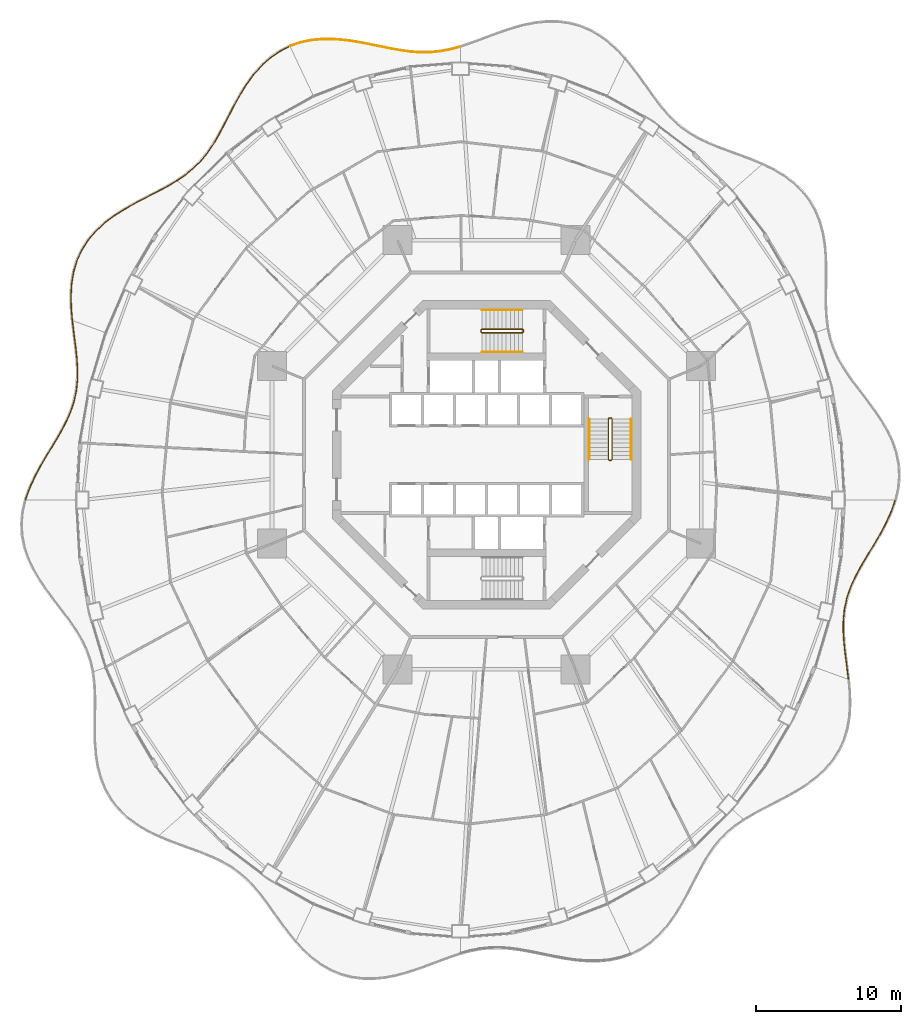
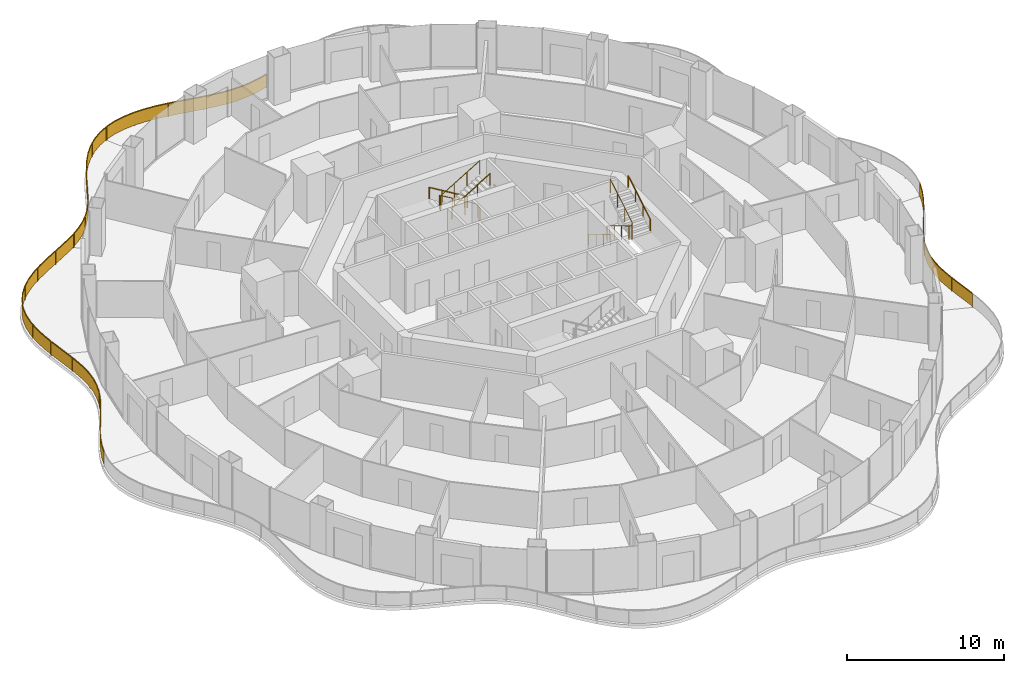
# One storey, part 19 of 20: 11 railings.
"""IFC4 building model written with IfcOpenShell, lengths in metres."""

import ifcopenshell
import ifcopenshell.guid

model = None  # the IFC model being written
_history = None  # IfcOwnerHistory: only IFC2X3 demands one
_inside = {}  # id of a spatial element -> (the spatial element, [elements in it])
_under = {}  # id of a project, library or spatial element -> (it, [spatial elements below it])
_declared = {}  # id of a project -> (the project, [libraries it declares])
_typed = {}  # id of a type object -> (the type object, [elements of that type])
_made_of = {}  # id of a material, layer set ... -> (it, [elements and type objects made of it])


def new_model(schema):
    """Start an empty IFC model of exactly this schema.

    Asked for "IFC4X3", IfcOpenShell would pick the latest addendum, in which some entities
    have other attributes; the version numbers below select the first issue.
    IFC2X3 requires an IfcOwnerHistory on every rooted entity: one is made here for all.
    """
    global model, _history
    if schema == "IFC4X3":
        model = ifcopenshell.file(schema_version=(4, 3, 0, 0))
    else:
        model = ifcopenshell.file(schema=schema)
    _inside.clear()
    _under.clear()
    _declared.clear()
    _typed.clear()
    _made_of.clear()
    _history = None
    if model.schema == "IFC2X3":
        org = make("IfcOrganization", Name="unknown")
        user = make(
            "IfcPersonAndOrganization",
            ThePerson=make("IfcPerson", FamilyName="unknown"),
            TheOrganization=org,
        )
        app = make(
            "IfcApplication",
            ApplicationDeveloper=org,
            Version="unknown",
            ApplicationFullName="unknown",
            ApplicationIdentifier="unknown",
        )
        _history = make(
            "IfcOwnerHistory",
            OwningUser=user,
            OwningApplication=app,
            ChangeAction="ADDED",
            CreationDate=0,
        )
    return model


def make(cls, **values):
    """One entity of the class cls with the attributes given. An attribute that is None is left unset."""
    return model.create_entity(
        cls, **{name: value for name, value in values.items() if value is not None}
    )


def rooted(cls, **values):
    """An entity with a GlobalId (a new one), such as an element, a storey or a relation."""
    return make(cls, GlobalId=ifcopenshell.guid.new(), OwnerHistory=_history, **values)


def si_unit(unit_type, name, prefix=None):
    """IfcSIUnit, for example si_unit("LENGTHUNIT", "METRE", prefix="MILLI")."""
    return make("IfcSIUnit", UnitType=unit_type, Prefix=prefix, Name=name)


def assignment(units):
    """IfcUnitAssignment: the units of a project."""
    return None if units is None else make("IfcUnitAssignment", Units=units)


def point(xyz):
    """IfcCartesianPoint."""
    return None if xyz is None else make("IfcCartesianPoint", Coordinates=xyz)


def direction(xyz):
    """IfcDirection."""
    return None if xyz is None else make("IfcDirection", DirectionRatios=xyz)


def frame(location, z_axis=None, x_axis=None):
    """IfcAxis2Placement3D, a coordinate frame: its origin and axes. An axis left out is left unset."""
    return make(
        "IfcAxis2Placement3D",
        Location=point(location),
        Axis=direction(z_axis),
        RefDirection=direction(x_axis),
    )


def frame_2d(location, x_axis=None):
    """IfcAxis2Placement2D, a coordinate frame in the plane: its origin and x axis."""
    return make(
        "IfcAxis2Placement2D", Location=point(location), RefDirection=direction(x_axis)
    )


def origin():
    """The frame at (0, 0, 0) with its axes left unset."""
    return frame((0.0, 0.0, 0.0))


def origin_2d():
    """The frame at (0, 0) in the plane with its x axis left unset."""
    return frame_2d((0.0, 0.0))


def place(relative_to, where):
    """IfcLocalPlacement: puts the frame where relative to a parent placement (None: the world)."""
    return make(
        "IfcLocalPlacement", PlacementRelTo=relative_to, RelativePlacement=where
    )


def context(
    kind, dimensions, precision=None, world=None, true_north=None, identifier=None
):
    """IfcGeometricRepresentationContext, for example the 3D "Model" context."""
    return make(
        "IfcGeometricRepresentationContext",
        ContextIdentifier=identifier,
        ContextType=kind,
        CoordinateSpaceDimension=dimensions,
        Precision=precision,
        WorldCoordinateSystem=world,
        TrueNorth=true_north,
    )


def subcontext(parent, identifier, kind, view, scale=None):
    """IfcGeometricRepresentationSubContext, for example "Body" below "Model"."""
    return make(
        "IfcGeometricRepresentationSubContext",
        ContextIdentifier=identifier,
        ContextType=kind,
        ParentContext=parent,
        TargetScale=scale,
        TargetView=view,
    )


def project(units=None, contexts=None):
    """IfcProject with its units and contexts."""
    return rooted(
        "IfcProject",
        Name="project",
        RepresentationContexts=contexts,
        UnitsInContext=assignment(units),
    )


def spatial(cls, under=None, at=None, **own):
    """A site, building, storey or space (cls), placed at a placement, below another one or the project."""
    s = rooted(cls, ObjectPlacement=at, **own)
    if under is not None:
        _under.setdefault(under.id(), (under, []))[1].append(s)
    return s


def polyline(points):
    """IfcPolyline through the points."""
    return make("IfcPolyline", Points=[point(p) for p in points])


def profile(cls, at=None, kind="AREA", **sizes):
    """A parametric profile (cls). Its sizes go by their IFC names, for example OverallWidth=200.0."""
    return make(cls, ProfileType=kind, Position=at, **sizes)


def rectangle(**sizes):
    """IfcRectangleProfileDef."""
    return profile("IfcRectangleProfileDef", **sizes)


def circle(**sizes):
    """IfcCircleProfileDef."""
    return profile("IfcCircleProfileDef", **sizes)


def outline(outer, holes=None, kind="AREA"):
    """IfcArbitraryClosedProfileDef: a profile drawn as a closed curve; with holes, ...WithVoids."""
    if holes is None:
        return make("IfcArbitraryClosedProfileDef", ProfileType=kind, OuterCurve=outer)
    return make(
        "IfcArbitraryProfileDefWithVoids",
        ProfileType=kind,
        OuterCurve=outer,
        InnerCurves=holes,
    )


def extrude(swept, where, along, depth):
    """IfcExtrudedAreaSolid: the profile swept, set in the frame where, extruded along a direction by depth."""
    return make(
        "IfcExtrudedAreaSolid",
        SweptArea=swept,
        Position=where,
        ExtrudedDirection=direction(along),
        Depth=depth,
    )


def shape(context_of_items, identifier, shape_type, items):
    """IfcShapeRepresentation: the items that make up one representation, for example the "Body"."""
    return make(
        "IfcShapeRepresentation",
        ContextOfItems=context_of_items,
        RepresentationIdentifier=identifier,
        RepresentationType=shape_type,
        Items=items,
    )


def material(Name=None, Category=None):
    """IfcMaterial."""
    return make("IfcMaterial", Name=Name, Category=Category)


def made_of(thing, what):
    """Note that an element or type object is made of a material, layer set ...; save() writes the relation."""
    if what is not None:
        _made_of.setdefault(what.id(), (what, []))[1].append(thing)
    return thing


def type_object(cls, material=None, **own):
    """A type object (cls), such as IfcWallType, which elements share."""
    return made_of(rooted(cls, **own), material)


def element(
    cls,
    number,
    at=None,
    inside=None,
    cuts=None,
    type_object=None,
    material=None,
    context=None,
    identifier="Body",
    shape_type=None,
    held_by="IfcProductDefinitionShape",
    body=None,
    shapes=None,
    **own,
):
    """One element of the class cls, such as IfcWall. Its Tag is "e" and its number.

    at: its placement. inside: the storey or other place that contains it. cuts: it is an
    opening in that element (IfcRelVoidsElement). A single representation is given by context,
    identifier, shape_type and body (its items); several are given by shapes. held_by: the class
    of the entity that holds the representations. save() writes the other relations.
    """
    e = rooted(cls, Tag="e%d" % number, ObjectPlacement=at, **own)
    if body is not None:
        shapes = [shape(context, identifier, shape_type, body)]
    if shapes is not None:
        e.Representation = make(held_by, Representations=shapes)
    if inside is not None:
        _inside.setdefault(inside.id(), (inside, []))[1].append(e)
    if cuts is not None:
        rooted(
            "IfcRelVoidsElement", RelatingBuildingElement=cuts, RelatedOpeningElement=e
        )
    if type_object is not None:
        _typed.setdefault(type_object.id(), (type_object, []))[1].append(e)
    return made_of(e, material)


def aggregate(whole, parts):
    """IfcRelAggregates: a whole, such as a stair, and the parts it consists of."""
    return rooted("IfcRelAggregates", RelatingObject=whole, RelatedObjects=parts)


def save(model, path):
    """Write the relations noted so far, then the file.

    IfcRelAggregates (storeys below a building ...), IfcRelContainedInSpatialStructure (elements
    in a storey), IfcRelDefinesByType, IfcRelAssociatesMaterial and IfcRelDeclares: one each for
    every whole, place, type object, material and project.
    """
    for whole, parts in _under.values():
        aggregate(whole, parts)
    for where, things in _inside.values():
        rooted(
            "IfcRelContainedInSpatialStructure",
            RelatedElements=things,
            RelatingStructure=where,
        )
    for kind, things in _typed.values():
        rooted("IfcRelDefinesByType", RelatedObjects=things, RelatingType=kind)
    for what, things in _made_of.values():
        rooted("IfcRelAssociatesMaterial", RelatedObjects=things, RelatingMaterial=what)
    for by, libraries in _declared.values():
        rooted("IfcRelDeclares", RelatingContext=by, RelatedDefinitions=libraries)
    model.write(path)


model = new_model("IFC4")

# Units and contexts
model_context = context("Model", 3, precision=1e-05, world=origin(), true_north=direction((0.0, 1.0)))
body_context = subcontext(model_context, "Body", "Model", "MODEL_VIEW")
ifc_project = project(units=[si_unit("LENGTHUNIT", "METRE"), si_unit("AREAUNIT", "SQUARE_METRE"), si_unit("VOLUMEUNIT", "CUBIC_METRE"), si_unit("PLANEANGLEUNIT", "RADIAN"), si_unit("MASSUNIT", "GRAM", prefix="KILO")], contexts=[model_context])

# Site, building, storey
site_placement = place(None, origin())
site = spatial("IfcSite", under=ifc_project, at=site_placement, CompositionType="ELEMENT")
building_placement = place(site_placement, origin())
building = spatial("IfcBuilding", under=site, at=building_placement, Name="Nagisa Residences", CompositionType="ELEMENT")
storey_placement = place(building_placement, frame((0.0, 0.0, 145.5)))
storey = spatial("IfcBuildingStorey", under=building, at=storey_placement, Name="L36", CompositionType="ELEMENT", Elevation=145.5)

# Railings
ifc_material_1 = material(Name="Stainless steel 316", Category="steel")
railing_type_1 = type_object("IfcRailingType", Name="BALCONY GUARD 1100", PredefinedType="BALUSTRADE", material=ifc_material_1)
railing_1_placement = place(storey_placement, frame((-1.83447265625, 28.098876953125, 0.0)))
element("IfcRailing", 1, at=railing_1_placement, inside=storey, type_object=railing_type_1, Name="guard:L36:bal04-0", PredefinedType="BALUSTRADE", context=body_context, shape_type="SweptSolid", body=[
    extrude(outline(polyline([(-0.634521484375, -0.197998046875), (0.006591796875, -0.024169921875), (-0.006591796875, 0.024169921875), (-0.645751953125, -0.149169921875), (-1.32080078125, -0.279541015625), (-1.99560546875, -0.3505859375), (-2.67626953125, -0.361572265625), (-3.369140625, -0.316162109375), (-4.060791015625, -0.2197265625), (-4.7900390625, -0.088623046875), (-5.539794921875, 0.064208984375), (-6.3095703125, 0.22265625), (-7.095458984375, 0.36767578125), (-7.875, 0.486572265625), (-8.67529296875, 0.5517578125), (-9.4697265625, 0.553466796875), (-10.249267578125, 0.478271484375), (-11.00390625, 0.318359375), (-11.679443359375, 0.084716796875), (-11.662841796875, 0.037353515625), (-10.99072265625, 0.27001953125), (-10.241455078125, 0.428955078125), (-9.46728515625, 0.503173828125), (-8.67724609375, 0.501953125), (-7.880859375, 0.436767578125), (-7.103759765625, 0.318359375), (-6.3193359375, 0.17333984375), (-5.550048828125, 0.015380859375), (-4.79931640625, -0.137939453125), (-4.068603515625, -0.26904296875), (-3.3740234375, -0.365966796875), (-2.677734375, -0.411865234375), (-1.99267578125, -0.400390625), (-1.3134765625, -0.328857421875), (-0.634521484375, -0.197998046875)])), frame((0.0, 0.0, 1.050048828125)), (0.0, 0.0, 1.0), 0.050048828125),
    extrude(outline(polyline([(-0.638671875, -0.180419921875), (0.001953125, -0.0068359375), (-0.001953125, 0.0068359375), (-0.6416015625, -0.166748046875), (-1.318115234375, -0.29736328125), (-1.99462890625, -0.368408203125), (-2.6767578125, -0.379638671875), (-3.370849609375, -0.333984375), (-4.0634765625, -0.237548828125), (-4.79345703125, -0.1064453125), (-5.54345703125, 0.046630859375), (-6.313232421875, 0.204833984375), (-7.098388671875, 0.349853515625), (-7.877197265625, 0.468505859375), (-8.676025390625, 0.533935546875), (-9.46875, 0.535400390625), (-10.246337890625, 0.46044921875), (-10.999267578125, 0.301025390625), (-11.67333984375, 0.067626953125), (-11.6689453125, 0.054443359375), (-10.995361328125, 0.287353515625), (-10.244384765625, 0.44677734375), (-9.46826171875, 0.521240234375), (-8.676513671875, 0.519775390625), (-7.878662109375, 0.454833984375), (-7.100830078125, 0.336181640625), (-6.315673828125, 0.191162109375), (-5.54638671875, 0.032958984375), (-4.7958984375, -0.1201171875), (-4.06591796875, -0.251220703125), (-3.372314453125, -0.34814453125), (-2.67724609375, -0.393798828125), (-1.99365234375, -0.382568359375), (-1.316162109375, -0.31103515625), (-0.638671875, -0.180419921875)])), frame((0.0, 0.0, 0.06005859375)), (0.0, 0.0, 1.0), 0.989990234375),
    extrude(rectangle(XDim=0.0400390625, YDim=0.0400390625, at=origin_2d()), origin(), (0.0, 0.0, 1.0), 1.050048828125),
    extrude(rectangle(XDim=0.0400390625, YDim=0.0400390625, at=origin_2d()), frame((-2.329833984375, -0.381103515625, 0.0)), (0.0, 0.0, 1.0), 1.050048828125),
    extrude(rectangle(XDim=0.0400390625, YDim=0.0400390625, at=origin_2d()), frame((-4.68115234375, -0.1337890625, 0.0)), (0.0, 0.0, 1.0), 1.050048828125),
    extrude(rectangle(XDim=0.0400390625, YDim=0.0400390625, at=origin_2d()), frame((-7.00537109375, 0.32568359375, 0.0)), (0.0, 0.0, 1.0), 1.050048828125),
    extrude(rectangle(XDim=0.0400390625, YDim=0.0400390625, at=origin_2d()), frame((-9.361328125, 0.528076171875, 0.0)), (0.0, 0.0, 1.0), 1.050048828125),
    extrude(rectangle(XDim=0.0400390625, YDim=0.0400390625, at=origin_2d()), frame((-11.671142578125, 0.06103515625, 0.0)), (0.0, 0.0, 1.0), 1.050048828125),
])
railing_2_placement = place(storey_placement, frame((-13.57666015625, 28.1298828125, 0.0)))
element("IfcRailing", 2, at=railing_2_placement, inside=storey, type_object=railing_type_1, Name="guard:L36:bal05-0", PredefinedType="BALUSTRADE", context=body_context, shape_type="SweptSolid", body=[
    extrude(outline(polyline([(-0.646484375, -0.35400390625), (0.01123046875, -0.0224609375), (-0.01123046875, 0.0224609375), (-0.671875, -0.31103515625), (-1.32470703125, -0.759765625), (-1.92236328125, -1.293212890625), (-2.4638671875, -1.89892578125), (-2.951904296875, -2.56103515625), (-3.380615234375, -3.25341796875), (-3.78515625, -3.97509765625), (-4.16357421875, -4.699951171875), (-4.529296875, -5.410888671875), (-4.895751953125, -6.093505859375), (-5.265380859375, -6.72607421875), (-5.674560546875, -7.322021484375), (-6.121826171875, -7.86767578125), (-6.614990234375, -8.36328125), (-7.158447265625, -8.81298828125), (-7.717529296875, -9.19970703125), (-7.689208984375, -9.24072265625), (-7.128173828125, -8.85302734375), (-6.581298828125, -8.400390625), (-6.084716796875, -7.9013671875), (-5.634521484375, -7.352294921875), (-5.222900390625, -6.7529296875), (-4.852294921875, -6.117919921875), (-4.48486328125, -5.434326171875), (-4.119140625, -4.722900390625), (-3.7412109375, -3.9990234375), (-3.337646484375, -3.27880859375), (-2.910400390625, -2.5888671875), (-2.4248046875, -1.9306640625), (-1.88671875, -1.328857421875), (-1.2939453125, -0.79931640625), (-0.646484375, -0.35400390625)])), frame((0.0, 0.0, 1.050048828125)), (0.0, 0.0, 1.0), 0.050048828125),
    extrude(outline(polyline([(-0.655517578125, -0.338623046875), (0.003173828125, -0.00634765625), (-0.003173828125, 0.00634765625), (-0.662841796875, -0.326416015625), (-1.313720703125, -0.77392578125), (-1.909423828125, -1.30615234375), (-2.44970703125, -1.910400390625), (-2.93701171875, -2.571044921875), (-3.365234375, -3.262451171875), (-3.769287109375, -3.983642578125), (-4.1474609375, -4.708251953125), (-4.51318359375, -5.41943359375), (-4.880126953125, -6.102294921875), (-5.25, -6.73583984375), (-5.66015625, -7.3330078125), (-6.1083984375, -7.8798828125), (-6.602783203125, -8.376708984375), (-7.1474609375, -8.827392578125), (-7.707275390625, -9.21435546875), (-7.699462890625, -9.22607421875), (-7.13916015625, -8.838623046875), (-6.593505859375, -8.386962890625), (-6.09814453125, -7.88916015625), (-5.64892578125, -7.34130859375), (-5.23828125, -6.7431640625), (-4.867919921875, -6.109130859375), (-4.5009765625, -5.42578125), (-4.13525390625, -4.714599609375), (-3.757080078125, -3.990478515625), (-3.35302734375, -3.269775390625), (-2.92529296875, -2.578857421875), (-2.43896484375, -1.919189453125), (-1.899658203125, -1.31591796875), (-1.304931640625, -0.78515625), (-0.655517578125, -0.338623046875)])), frame((0.0, 0.0, 0.06005859375)), (0.0, 0.0, 1.0), 0.989990234375),
    extrude(rectangle(XDim=0.0400390625, YDim=0.0400390625, at=origin_2d()), origin(), (0.0, 0.0, 1.0), 1.050048828125),
    extrude(rectangle(XDim=0.0400390625, YDim=0.0400390625, at=origin_2d()), frame((-1.692138671875, -1.121337890625, 0.0)), (0.0, 0.0, 1.0), 1.050048828125),
    extrude(rectangle(XDim=0.0400390625, YDim=0.0400390625, at=origin_2d()), frame((-2.997314453125, -2.681884765625, 0.0)), (0.0, 0.0, 1.0), 1.050048828125),
    extrude(rectangle(XDim=0.0400390625, YDim=0.0400390625, at=origin_2d()), frame((-4.007080078125, -4.454345703125, 0.0)), (0.0, 0.0, 1.0), 1.050048828125),
    extrude(rectangle(XDim=0.0400390625, YDim=0.0400390625, at=origin_2d()), frame((-4.962646484375, -6.25732421875, 0.0)), (0.0, 0.0, 1.0), 1.050048828125),
    extrude(rectangle(XDim=0.0400390625, YDim=0.0400390625, at=origin_2d()), frame((-6.13818359375, -7.919677734375, 0.0)), (0.0, 0.0, 1.0), 1.050048828125),
    extrude(rectangle(XDim=0.0400390625, YDim=0.0400390625, at=origin_2d()), frame((-7.703369140625, -9.22021484375, 0.0)), (0.0, 0.0, 1.0), 1.050048828125),
])
railing_3_placement = place(storey_placement, frame((-21.341796875, 18.87255859375, 0.0)))
element("IfcRailing", 3, at=railing_3_placement, inside=storey, type_object=railing_type_1, Name="guard:L36:bal06-0", PredefinedType="BALUSTRADE", context=body_context, shape_type="SweptSolid", body=[
    extrude(outline(polyline([(-0.626220703125, -0.40087890625), (0.0126953125, -0.021484375), (-0.0126953125, 0.021484375), (-0.650634765625, -0.357421875), (-1.366943359375, -0.741943359375), (-2.1123046875, -1.124755859375), (-2.869873046875, -1.520263671875), (-3.6201171875, -1.943359375), (-4.333984375, -2.3935546875), (-5.008544921875, -2.9052734375), (-5.615966796875, -3.47216796875), (-6.141357421875, -4.097412109375), (-6.57275390625, -4.779296875), (-6.8974609375, -5.50048828125), (-7.127685546875, -6.279541015625), (-7.26171875, -7.09375), (-7.310546875, -7.932373046875), (-7.2890625, -8.7841796875), (-7.21826171875, -9.592529296875), (-7.16845703125, -9.588134765625), (-7.2392578125, -8.78125), (-7.26025390625, -7.933349609375), (-7.2119140625, -7.09912109375), (-7.078857421875, -6.290771484375), (-6.8505859375, -5.51806640625), (-6.52880859375, -4.80322265625), (-6.100830078125, -4.127197265625), (-5.579833984375, -3.5068359375), (-4.976318359375, -2.943359375), (-4.3056640625, -2.4345703125), (-3.59423828125, -1.986328125), (-2.845947265625, -1.564208984375), (-2.08935546875, -1.169189453125), (-1.343505859375, -0.786376953125), (-0.626220703125, -0.40087890625)])), frame((0.0, 0.0, 1.050048828125)), (0.0, 0.0, 1.0), 0.050048828125),
    extrude(outline(polyline([(-0.635009765625, -0.38525390625), (0.003662109375, -0.006103515625), (-0.003662109375, 0.006103515625), (-0.641845703125, -0.373046875), (-1.3583984375, -0.758056640625), (-2.10400390625, -1.140869140625), (-2.861328125, -1.5361328125), (-3.61083984375, -1.958740234375), (-4.32373046875, -2.408203125), (-4.996826171875, -2.9189453125), (-5.60302734375, -3.484619140625), (-6.126708984375, -4.108154296875), (-6.556884765625, -4.787841796875), (-6.880615234375, -5.5068359375), (-7.110107421875, -6.28369140625), (-7.243896484375, -7.095703125), (-7.29248046875, -7.932861328125), (-7.271240234375, -8.783203125), (-7.200439453125, -9.591064453125), (-7.186279296875, -9.589599609375), (-7.257080078125, -8.7822265625), (-7.2783203125, -7.932861328125), (-7.229736328125, -7.09716796875), (-7.096435546875, -6.28662109375), (-6.867431640625, -5.51171875), (-6.544677734375, -4.794677734375), (-6.115478515625, -4.116455078125), (-5.5927734375, -3.494384765625), (-4.988037109375, -2.9296875), (-4.31591796875, -2.419921875), (-3.603515625, -1.970947265625), (-2.8544921875, -1.54833984375), (-2.09765625, -1.153076171875), (-1.35205078125, -0.770263671875), (-0.635009765625, -0.38525390625)])), frame((0.0, 0.0, 0.06005859375)), (0.0, 0.0, 1.0), 0.989990234375),
    extrude(rectangle(XDim=0.0400390625, YDim=0.0400390625, at=origin_2d()), origin(), (0.0, 0.0, 1.0), 1.050048828125),
    extrude(rectangle(XDim=0.0400390625, YDim=0.0400390625, at=origin_2d()), frame((-1.921630859375, -1.054931640625, 0.0)), (0.0, 0.0, 1.0), 1.050048828125),
    extrude(rectangle(XDim=0.0400390625, YDim=0.0400390625, at=origin_2d()), frame((-3.841796875, -2.11279296875, 0.0)), (0.0, 0.0, 1.0), 1.050048828125),
    extrude(rectangle(XDim=0.0400390625, YDim=0.0400390625, at=origin_2d()), frame((-5.565185546875, -3.458984375, 0.0)), (0.0, 0.0, 1.0), 1.050048828125),
    extrude(rectangle(XDim=0.0400390625, YDim=0.0400390625, at=origin_2d()), frame((-6.76904296875, -5.27587890625, 0.0)), (0.0, 0.0, 1.0), 1.050048828125),
    extrude(rectangle(XDim=0.0400390625, YDim=0.0400390625, at=origin_2d()), frame((-7.254638671875, -7.401611328125, 0.0)), (0.0, 0.0, 1.0), 1.050048828125),
    extrude(rectangle(XDim=0.0400390625, YDim=0.0400390625, at=origin_2d()), frame((-7.193359375, -9.59033203125, 0.0)), (0.0, 0.0, 1.0), 1.050048828125),
])
railing_4_placement = place(storey_placement, frame((-28.525634765625, 9.2060546875, 0.0)))
element("IfcRailing", 4, at=railing_4_placement, inside=storey, type_object=railing_type_1, Name="guard:L36:bal07-0", PredefinedType="BALUSTRADE", context=body_context, shape_type="SweptSolid", body=[
    extrude(outline(polyline([(0.126220703125, -0.82421875), (0.02490234375, 0.0029296875), (-0.02490234375, -0.0029296875), (0.076416015625, -0.83056640625), (0.186767578125, -1.686279296875), (0.278076171875, -2.51904296875), (0.32763671875, -3.32470703125), (0.3173828125, -4.10400390625), (0.236572265625, -4.8447265625), (0.071533203125, -5.57958984375), (-0.174560546875, -6.301025390625), (-0.49609375, -7.017333984375), (-0.880126953125, -7.734619140625), (-1.30712890625, -8.447021484375), (-1.75732421875, -9.186767578125), (-2.203857421875, -9.944091796875), (-2.6201171875, -10.72021484375), (-2.980224609375, -11.514404296875), (-3.247802734375, -12.279052734375), (-3.200439453125, -12.295654296875), (-2.933837890625, -11.532958984375), (-2.5751953125, -10.7421875), (-2.160400390625, -9.968505859375), (-1.71435546875, -9.212646484375), (-1.26416015625, -8.472900390625), (-0.836669921875, -7.759521484375), (-0.451171875, -7.039306640625), (-0.128173828125, -6.319580078125), (0.119873046875, -5.59326171875), (0.285888671875, -4.85302734375), (0.3671875, -4.10693359375), (0.3779296875, -3.32373046875), (0.327880859375, -2.5146484375), (0.236572265625, -1.680419921875), (0.126220703125, -0.82421875)])), frame((0.0, 0.0, 1.050048828125)), (0.0, 0.0, 1.0), 0.050048828125),
    extrude(outline(polyline([(0.108154296875, -0.826416015625), (0.0068359375, 0.000732421875), (-0.0068359375, -0.000732421875), (0.094482421875, -0.828369140625), (0.204833984375, -1.68408203125), (0.2958984375, -2.517333984375), (0.345703125, -3.324462890625), (0.335205078125, -4.10498046875), (0.25439453125, -4.84765625), (0.0888671875, -5.58447265625), (-0.157958984375, -6.3076171875), (-0.47998046875, -7.025146484375), (-0.864501953125, -7.74365234375), (-1.291748046875, -8.456298828125), (-1.741943359375, -9.196044921875), (-2.188232421875, -9.952880859375), (-2.60400390625, -10.72802734375), (-2.963623046875, -11.52099609375), (-3.230712890625, -12.28515625), (-3.217529296875, -12.28955078125), (-2.950439453125, -11.5263671875), (-2.59130859375, -10.734375), (-2.176025390625, -9.959716796875), (-1.729736328125, -9.203369140625), (-1.279541015625, -8.463623046875), (-0.852294921875, -7.75048828125), (-0.46728515625, -7.031494140625), (-0.144775390625, -6.31298828125), (0.1025390625, -5.58837890625), (0.26806640625, -4.85009765625), (0.349365234375, -4.10595703125), (0.35986328125, -3.323974609375), (0.31005859375, -2.516357421875), (0.218505859375, -1.6826171875), (0.108154296875, -0.826416015625)])), frame((0.0, 0.0, 0.06005859375)), (0.0, 0.0, 1.0), 0.989990234375),
    extrude(rectangle(XDim=0.0400390625, YDim=0.0400390625, at=origin_2d()), origin(), (0.0, 0.0, 1.0), 1.050048828125),
    extrude(rectangle(XDim=0.0400390625, YDim=0.0400390625, at=origin_2d()), frame((0.26513671875, -2.172119140625, 0.0)), (0.0, 0.0, 1.0), 1.050048828125),
    extrude(rectangle(XDim=0.0400390625, YDim=0.0400390625, at=origin_2d()), frame((0.31494140625, -4.35546875, 0.0)), (0.0, 0.0, 1.0), 1.050048828125),
    extrude(rectangle(XDim=0.0400390625, YDim=0.0400390625, at=origin_2d()), frame((-0.221435546875, -6.466552734375, 0.0)), (0.0, 0.0, 1.0), 1.050048828125),
    extrude(rectangle(XDim=0.0400390625, YDim=0.0400390625, at=origin_2d()), frame((-1.24755859375, -8.396484375, 0.0)), (0.0, 0.0, 1.0), 1.050048828125),
    extrude(rectangle(XDim=0.0400390625, YDim=0.0400390625, at=origin_2d()), frame((-2.35693359375, -10.282470703125, 0.0)), (0.0, 0.0, 1.0), 1.050048828125),
    extrude(rectangle(XDim=0.0400390625, YDim=0.0400390625, at=origin_2d()), frame((-3.22412109375, -12.287353515625, 0.0)), (0.0, 0.0, 1.0), 1.050048828125),
])
railing_5_placement = place(storey_placement, frame((24.92578125, -15.44140625, 0.0)))
element("IfcRailing", 5, at=railing_5_placement, inside=storey, type_object=railing_type_1, Name="guard:L36:bal15-0", PredefinedType="BALUSTRADE", context=body_context, shape_type="SweptSolid", body=[
    extrude(outline(polyline([(-0.12646484375, 0.82421875), (-0.02490234375, -0.0029296875), (0.02490234375, 0.0029296875), (-0.07666015625, 0.83056640625), (-0.18701171875, 1.686279296875), (-0.2783203125, 2.51904296875), (-0.32763671875, 3.32470703125), (-0.3173828125, 4.10400390625), (-0.236572265625, 4.8447265625), (-0.07177734375, 5.579345703125), (0.17431640625, 6.301025390625), (0.495849609375, 7.017333984375), (0.8798828125, 7.734619140625), (1.30712890625, 8.447021484375), (1.75732421875, 9.186767578125), (2.20361328125, 9.944091796875), (2.619873046875, 10.72021484375), (2.980224609375, 11.51416015625), (3.247802734375, 12.27880859375), (3.200439453125, 12.29541015625), (2.933837890625, 11.53271484375), (2.574951171875, 10.7421875), (2.16015625, 9.968505859375), (1.71435546875, 9.212646484375), (1.26416015625, 8.472900390625), (0.83642578125, 7.759521484375), (0.450927734375, 7.039306640625), (0.1279296875, 6.319580078125), (-0.1201171875, 5.593017578125), (-0.285888671875, 4.85302734375), (-0.3671875, 4.10693359375), (-0.3779296875, 3.32373046875), (-0.328125, 2.5146484375), (-0.23681640625, 1.680419921875), (-0.12646484375, 0.82421875)])), frame((0.0, 0.0, 1.050048828125)), (0.0, 0.0, 1.0), 0.050048828125),
    extrude(outline(polyline([(-0.1083984375, 0.826416015625), (-0.0068359375, -0.000732421875), (0.0068359375, 0.000732421875), (-0.0947265625, 0.828369140625), (-0.205078125, 1.68408203125), (-0.296142578125, 2.517333984375), (-0.345703125, 3.324462890625), (-0.335205078125, 4.10498046875), (-0.25439453125, 4.84765625), (-0.089111328125, 5.584228515625), (0.15771484375, 6.3076171875), (0.479736328125, 7.025146484375), (0.8642578125, 7.74365234375), (1.291748046875, 8.456298828125), (1.741943359375, 9.196044921875), (2.18798828125, 9.952880859375), (2.603759765625, 10.72802734375), (2.963623046875, 11.520751953125), (3.230712890625, 12.284912109375), (3.217529296875, 12.289306640625), (2.950439453125, 11.526123046875), (2.591064453125, 10.734375), (2.17578125, 9.959716796875), (1.729736328125, 9.203369140625), (1.279541015625, 8.463623046875), (0.85205078125, 7.75048828125), (0.467041015625, 7.031494140625), (0.14453125, 6.31298828125), (-0.102783203125, 5.588134765625), (-0.26806640625, 4.85009765625), (-0.349365234375, 4.10595703125), (-0.35986328125, 3.323974609375), (-0.310302734375, 2.516357421875), (-0.21875, 1.6826171875), (-0.1083984375, 0.826416015625)])), frame((0.0, 0.0, 0.06005859375)), (0.0, 0.0, 1.0), 0.989990234375),
    extrude(rectangle(XDim=0.0400390625, YDim=0.0400390625, at=origin_2d()), origin(), (0.0, 0.0, 1.0), 1.050048828125),
    extrude(rectangle(XDim=0.0400390625, YDim=0.0400390625, at=origin_2d()), frame((-0.265380859375, 2.172119140625, 0.0)), (0.0, 0.0, 1.0), 1.050048828125),
    extrude(rectangle(XDim=0.0400390625, YDim=0.0400390625, at=origin_2d()), frame((-0.31494140625, 4.355224609375, 0.0)), (0.0, 0.0, 1.0), 1.050048828125),
    extrude(rectangle(XDim=0.0400390625, YDim=0.0400390625, at=origin_2d()), frame((0.22119140625, 6.46630859375, 0.0)), (0.0, 0.0, 1.0), 1.050048828125),
    extrude(rectangle(XDim=0.0400390625, YDim=0.0400390625, at=origin_2d()), frame((1.24755859375, 8.396484375, 0.0)), (0.0, 0.0, 1.0), 1.050048828125),
    extrude(rectangle(XDim=0.0400390625, YDim=0.0400390625, at=origin_2d()), frame((2.356689453125, 10.282470703125, 0.0)), (0.0, 0.0, 1.0), 1.050048828125),
    extrude(rectangle(XDim=0.0400390625, YDim=0.0400390625, at=origin_2d()), frame((3.22412109375, 12.287109375, 0.0)), (0.0, 0.0, 1.0), 1.050048828125),
])
ifc_material_2 = material(Name="Stainless steel", Category="steel")
railing_type_2 = type_object("IfcRailingType", Name="Stair guard 1100", PredefinedType="GUARDRAIL", material=ifc_material_2)
railing_6_placement = place(storey_placement, frame((8.599609375, 2.52490234375, 0.0)))
element("IfcRailing", 6, at=railing_6_placement, inside=storey, type_object=railing_type_2, Name="L36 ST-E stair guard 1", PredefinedType="GUARDRAIL", context=body_context, shape_type="SweptSolid", body=[
    extrude(circle(Radius=0.02392578125, at=origin_2d()), frame((0.0, 0.0, 1.076171875), z_axis=(-1.0, 0.0, 0.0), x_axis=(0.0, -1.0, 0.0)), (0.0, 0.0, 1.0), 0.14990234375),
    extrude(circle(Radius=0.02392578125, at=origin_2d()), frame((-0.14990234375, 0.0, 1.076171875), z_axis=(-0.27434429532, -0.273006030465, 0.922064485248), x_axis=(0.705375805398, -0.708833529934, 0.0)), (0.0, 0.0, 1.0), 0.182373046875),
    extrude(circle(Radius=0.02392578125, at=origin_2d()), frame((-0.199951171875, -0.0498046875, 1.244140625), z_axis=(0.0, -0.857242210791, 0.514913383045), x_axis=(1.0, 0.0, 0.0)), (0.0, 0.0, 1.0), 3.266357421875),
    extrude(circle(Radius=0.02392578125, at=origin_2d()), frame((-0.199951171875, -2.849853515625, 2.92626953125), z_axis=(0.707106781187, -0.707106781187, 0.0), x_axis=(0.707106781187, 0.707106781187, 0.0)), (0.0, 0.0, 1.0), 0.07080078125),
    extrude(circle(Radius=0.02392578125, at=origin_2d()), frame((-0.14990234375, -2.89990234375, 2.92626953125), z_axis=(1.0, 0.0, 0.0), x_axis=(0.0, 1.0, 0.0)), (0.0, 0.0, 1.0), 0.14990234375),
    extrude(circle(Radius=0.02392578125, at=origin_2d()), frame((0.0, -2.89990234375, 2.92626953125), z_axis=(0.274582412415, 0.274582412415, 0.921525364591), x_axis=(-0.707106781187, 0.707106781187, 0.0)), (0.0, 0.0, 1.0), 0.182373046875),
    extrude(circle(Radius=0.02392578125, at=origin_2d()), frame((0.050048828125, -2.849853515625, 3.09423828125), z_axis=(0.0, 0.857242210791, 0.514913383045), x_axis=(-1.0, 0.0, 0.0)), (0.0, 0.0, 1.0), 3.266357421875),
    extrude(circle(Radius=0.02099609375, at=origin_2d()), origin(), (0.0, 0.0, 1.0), 1.052001953125),
    extrude(circle(Radius=0.02099609375, at=origin_2d()), frame((-0.14990234375, 0.0, 0.0)), (0.0, 0.0, 1.0), 1.052001953125),
    extrude(circle(Radius=0.02099609375, at=origin_2d()), frame((-0.199951171875, -0.0498046875, 0.168212890625)), (0.0, 0.0, 1.0), 1.052001953125),
    extrude(circle(Radius=0.02099609375, at=origin_2d()), frame((-0.199951171875, -0.983154296875, 0.728759765625)), (0.0, 0.0, 1.0), 1.052001953125),
    extrude(circle(Radius=0.02099609375, at=origin_2d()), frame((-0.199951171875, -1.91650390625, 1.28955078125)), (0.0, 0.0, 1.0), 1.052001953125),
    extrude(circle(Radius=0.02099609375, at=origin_2d()), frame((-0.199951171875, -2.849853515625, 1.85009765625)), (0.0, 0.0, 1.0), 1.052001953125),
    extrude(circle(Radius=0.02099609375, at=origin_2d()), frame((-0.14990234375, -2.89990234375, 1.85009765625)), (0.0, 0.0, 1.0), 1.052001953125),
    extrude(circle(Radius=0.02099609375, at=origin_2d()), frame((0.0, -2.89990234375, 1.85009765625)), (0.0, 0.0, 1.0), 1.052001953125),
    extrude(circle(Radius=0.02099609375, at=origin_2d()), frame((0.050048828125, -2.849853515625, 2.01806640625)), (0.0, 0.0, 1.0), 1.052001953125),
    extrude(circle(Radius=0.02099609375, at=origin_2d()), frame((0.050048828125, -1.91650390625, 2.57861328125)), (0.0, 0.0, 1.0), 1.052001953125),
    extrude(circle(Radius=0.02099609375, at=origin_2d()), frame((0.050048828125, -0.983154296875, 3.139404296875)), (0.0, 0.0, 1.0), 1.052001953125),
    extrude(circle(Radius=0.02099609375, at=origin_2d()), frame((0.050048828125, -0.0498046875, 3.699951171875)), (0.0, 0.0, 1.0), 1.052001953125),
])
railing_7_placement = place(storey_placement, frame((2.52490234375, 8.44970703125, 0.0)))
element("IfcRailing", 7, at=railing_7_placement, inside=storey, type_object=railing_type_2, Name="L36 ST-N stair guard 1", PredefinedType="GUARDRAIL", context=body_context, shape_type="SweptSolid", body=[
    extrude(circle(Radius=0.02392578125, at=origin_2d()), frame((0.0, 0.0, 1.076171875), z_axis=(0.0, 1.0, 0.0), x_axis=(-1.0, 0.0, 0.0)), (0.0, 0.0, 1.0), 0.14990234375),
    extrude(circle(Radius=0.02392578125, at=origin_2d()), frame((0.0, 0.14990234375, 1.076171875), z_axis=(-0.273006030465, 0.27434429532, 0.922064485248), x_axis=(-0.708833529934, -0.705375805398, 0.0)), (0.0, 0.0, 1.0), 0.182373046875),
    extrude(circle(Radius=0.02392578125, at=origin_2d()), frame((-0.0498046875, 0.199951171875, 1.244140625), z_axis=(-0.857242210791, 0.0, 0.514913383045), x_axis=(0.0, -1.0, 0.0)), (0.0, 0.0, 1.0), 3.266357421875),
    extrude(circle(Radius=0.02392578125, at=origin_2d()), frame((-2.849853515625, 0.199951171875, 2.92626953125), z_axis=(-0.707106781187, -0.707106781187, 0.0), x_axis=(0.707106781187, -0.707106781187, 0.0)), (0.0, 0.0, 1.0), 0.07080078125),
    extrude(circle(Radius=0.02392578125, at=origin_2d()), frame((-2.89990234375, 0.14990234375, 2.92626953125), z_axis=(0.0, -1.0, 0.0), x_axis=(1.0, 0.0, 0.0)), (0.0, 0.0, 1.0), 0.14990234375),
    extrude(circle(Radius=0.02392578125, at=origin_2d()), frame((-2.89990234375, 0.0, 2.92626953125), z_axis=(0.274582412415, -0.274582412415, 0.921525364591), x_axis=(0.707106781187, 0.707106781187, 0.0)), (0.0, 0.0, 1.0), 0.182373046875),
    extrude(circle(Radius=0.02392578125, at=origin_2d()), frame((-2.849853515625, -0.050048828125, 3.09423828125), z_axis=(0.857242210791, 0.0, 0.514913383045), x_axis=(0.0, 1.0, 0.0)), (0.0, 0.0, 1.0), 3.266357421875),
    extrude(circle(Radius=0.02099609375, at=origin_2d()), origin(), (0.0, 0.0, 1.0), 1.052001953125),
    extrude(circle(Radius=0.02099609375, at=origin_2d()), frame((0.0, 0.14990234375, 0.0)), (0.0, 0.0, 1.0), 1.052001953125),
    extrude(circle(Radius=0.02099609375, at=origin_2d()), frame((-0.0498046875, 0.199951171875, 0.168212890625)), (0.0, 0.0, 1.0), 1.052001953125),
    extrude(circle(Radius=0.02099609375, at=origin_2d()), frame((-0.983154296875, 0.199951171875, 0.728759765625)), (0.0, 0.0, 1.0), 1.052001953125),
    extrude(circle(Radius=0.02099609375, at=origin_2d()), frame((-1.91650390625, 0.199951171875, 1.28955078125)), (0.0, 0.0, 1.0), 1.052001953125),
    extrude(circle(Radius=0.02099609375, at=origin_2d()), frame((-2.849853515625, 0.199951171875, 1.85009765625)), (0.0, 0.0, 1.0), 1.052001953125),
    extrude(circle(Radius=0.02099609375, at=origin_2d()), frame((-2.89990234375, 0.14990234375, 1.85009765625)), (0.0, 0.0, 1.0), 1.052001953125),
    extrude(circle(Radius=0.02099609375, at=origin_2d()), frame((-2.89990234375, 0.0, 1.85009765625)), (0.0, 0.0, 1.0), 1.052001953125),
    extrude(circle(Radius=0.02099609375, at=origin_2d()), frame((-2.849853515625, -0.050048828125, 2.01806640625)), (0.0, 0.0, 1.0), 1.052001953125),
    extrude(circle(Radius=0.02099609375, at=origin_2d()), frame((-1.91650390625, -0.050048828125, 2.57861328125)), (0.0, 0.0, 1.0), 1.052001953125),
    extrude(circle(Radius=0.02099609375, at=origin_2d()), frame((-0.983154296875, -0.050048828125, 3.139404296875)), (0.0, 0.0, 1.0), 1.052001953125),
    extrude(circle(Radius=0.02099609375, at=origin_2d()), frame((-0.0498046875, -0.050048828125, 3.699951171875)), (0.0, 0.0, 1.0), 1.052001953125),
])
ifc_material_3 = material(Name="Stainless steel", Category="steel")
railing_type_3 = type_object("IfcRailingType", Name="Stair handrail 900", PredefinedType="HANDRAIL", material=ifc_material_3)
railing_8_placement = place(storey_placement, frame((7.07470703125, 2.47509765625, 0.168212890625)))
element("IfcRailing", 8, at=railing_8_placement, inside=storey, type_object=railing_type_3, Name="L36 ST-E stair handrail 1", PredefinedType="HANDRAIL", context=body_context, shape_type="SweptSolid", body=[
    extrude(circle(Radius=0.02392578125, at=origin_2d()), frame((0.0, 0.0, 0.8759765625), z_axis=(0.0, -0.857242210791, 0.514913383045), x_axis=(1.0, 0.0, 0.0)), (0.0, 0.0, 1.0), 3.266357421875),
    extrude(circle(Radius=0.02099609375, at=origin_2d()), origin(), (0.0, 0.0, 1.0), 0.851806640625),
    extrude(circle(Radius=0.02099609375, at=origin_2d()), frame((0.0, -0.933349609375, 0.560546875)), (0.0, 0.0, 1.0), 0.851806640625),
    extrude(circle(Radius=0.02099609375, at=origin_2d()), frame((0.0, -1.86669921875, 1.121337890625)), (0.0, 0.0, 1.0), 0.851806640625),
    extrude(circle(Radius=0.02099609375, at=origin_2d()), frame((0.0, -2.800048828125, 1.681884765625)), (0.0, 0.0, 1.0), 0.851806640625),
])
railing_9_placement = place(storey_placement, frame((9.974609375, -0.324951171875, 2.01806640625)))
element("IfcRailing", 9, at=railing_9_placement, inside=storey, type_object=railing_type_3, Name="L36 ST-E stair handrail 2", PredefinedType="HANDRAIL", context=body_context, shape_type="SweptSolid", body=[
    extrude(circle(Radius=0.02392578125, at=origin_2d()), frame((0.0, 0.0, 0.8759765625), z_axis=(0.0, 0.857242210791, 0.514913383045), x_axis=(-1.0, 0.0, 0.0)), (0.0, 0.0, 1.0), 3.266357421875),
    extrude(circle(Radius=0.02099609375, at=origin_2d()), origin(), (0.0, 0.0, 1.0), 0.851806640625),
    extrude(circle(Radius=0.02099609375, at=origin_2d()), frame((0.0, 0.933349609375, 0.560546875)), (0.0, 0.0, 1.0), 0.851806640625),
    extrude(circle(Radius=0.02099609375, at=origin_2d()), frame((0.0, 1.86669921875, 1.121337890625)), (0.0, 0.0, 1.0), 0.851806640625),
    extrude(circle(Radius=0.02099609375, at=origin_2d()), frame((0.0, 2.800048828125, 1.681884765625)), (0.0, 0.0, 1.0), 0.851806640625),
])
railing_10_placement = place(storey_placement, frame((2.47509765625, 9.974609375, 0.168212890625)))
element("IfcRailing", 10, at=railing_10_placement, inside=storey, type_object=railing_type_3, Name="L36 ST-N stair handrail 1", PredefinedType="HANDRAIL", context=body_context, shape_type="SweptSolid", body=[
    extrude(circle(Radius=0.02392578125, at=origin_2d()), frame((0.0, 0.0, 0.8759765625), z_axis=(-0.857242210791, 0.0, 0.514913383045), x_axis=(0.0, -1.0, 0.0)), (0.0, 0.0, 1.0), 3.266357421875),
    extrude(circle(Radius=0.02099609375, at=origin_2d()), origin(), (0.0, 0.0, 1.0), 0.851806640625),
    extrude(circle(Radius=0.02099609375, at=origin_2d()), frame((-0.933349609375, 0.0, 0.560546875)), (0.0, 0.0, 1.0), 0.851806640625),
    extrude(circle(Radius=0.02099609375, at=origin_2d()), frame((-1.86669921875, 0.0, 1.121337890625)), (0.0, 0.0, 1.0), 0.851806640625),
    extrude(circle(Radius=0.02099609375, at=origin_2d()), frame((-2.800048828125, 0.0, 1.681884765625)), (0.0, 0.0, 1.0), 0.851806640625),
])
railing_11_placement = place(storey_placement, frame((-0.324951171875, 7.07470703125, 2.01806640625)))
element("IfcRailing", 11, at=railing_11_placement, inside=storey, type_object=railing_type_3, Name="L36 ST-N stair handrail 2", PredefinedType="HANDRAIL", context=body_context, shape_type="SweptSolid", body=[
    extrude(circle(Radius=0.02392578125, at=origin_2d()), frame((0.0, 0.0, 0.8759765625), z_axis=(0.857242210791, 0.0, 0.514913383045), x_axis=(0.0, 1.0, 0.0)), (0.0, 0.0, 1.0), 3.266357421875),
    extrude(circle(Radius=0.02099609375, at=origin_2d()), origin(), (0.0, 0.0, 1.0), 0.851806640625),
    extrude(circle(Radius=0.02099609375, at=origin_2d()), frame((0.933349609375, 0.0, 0.560546875)), (0.0, 0.0, 1.0), 0.851806640625),
    extrude(circle(Radius=0.02099609375, at=origin_2d()), frame((1.86669921875, 0.0, 1.121337890625)), (0.0, 0.0, 1.0), 0.851806640625),
    extrude(circle(Radius=0.02099609375, at=origin_2d()), frame((2.800048828125, 0.0, 1.681884765625)), (0.0, 0.0, 1.0), 0.851806640625),
])

save(model, "model.ifc")
